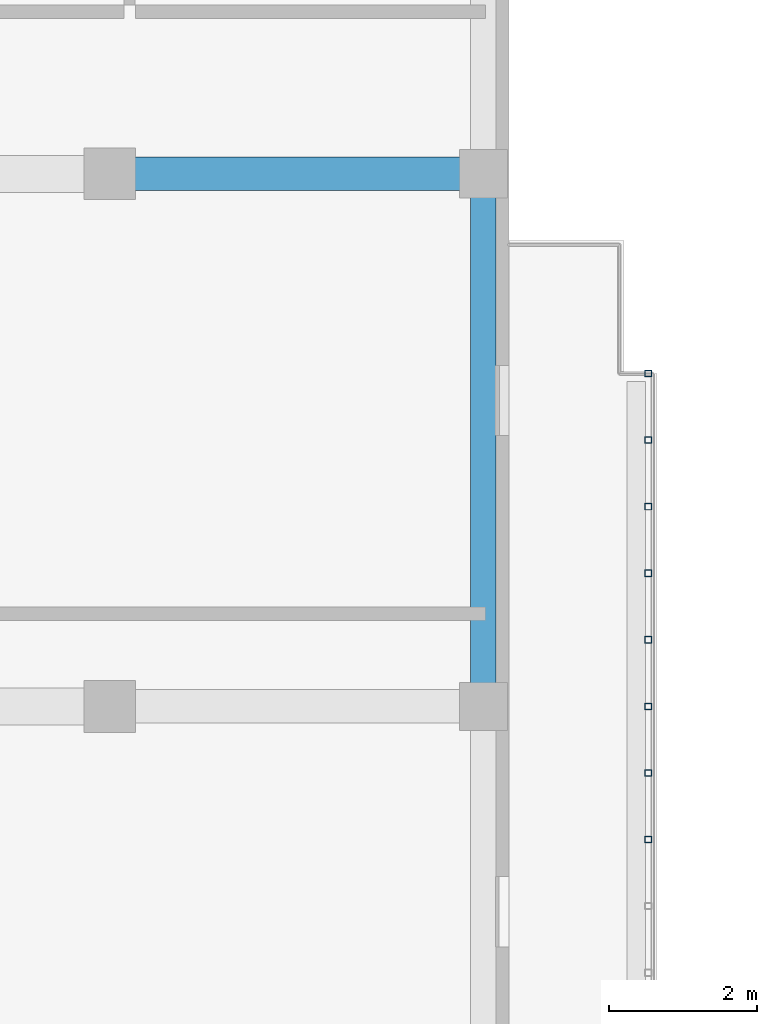
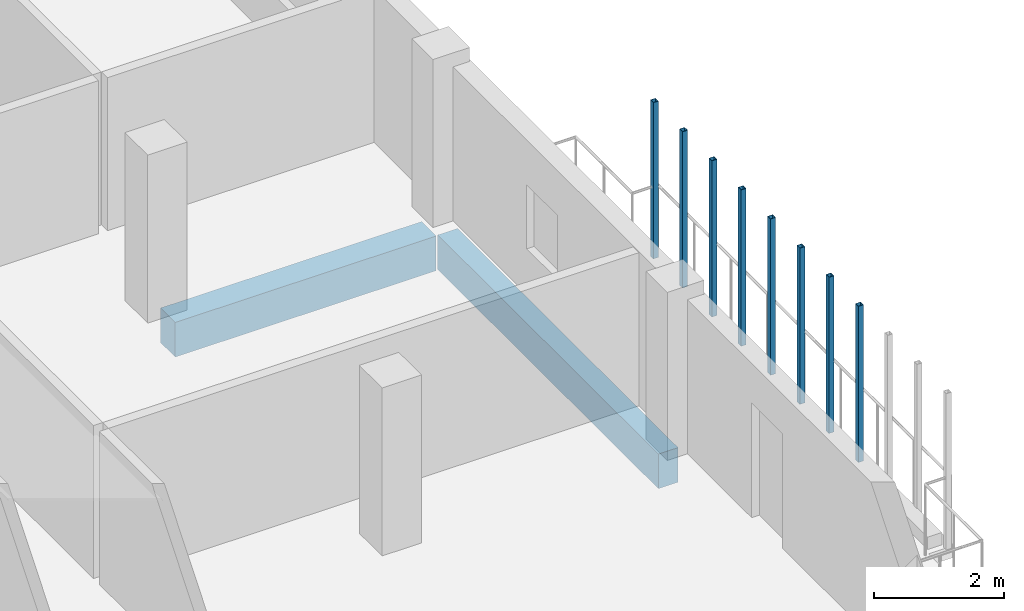
# One storey, part 11 of 51: 8 members, 2 beams.
"""IFC4 building model written with IfcOpenShell, lengths in metres."""

from ifc_helpers import new_model, si_unit, derived_unit, direction, frame, origin, origin_2d, place, context, subcontext, project, spatial, rectangle, hollow_rectangle, extrude, material, material_profile, profile_set, type_object, element, save


model = new_model("IFC4")

# Units and contexts
model_context = context("Model", 3, precision=1e-05, world=origin(), true_north=direction((0.0, 1.0)))
body_context = subcontext(model_context, "Body", "Model", "MODEL_VIEW")
ifc_project = project(units=[si_unit("LENGTHUNIT", "METRE"), si_unit("AREAUNIT", "SQUARE_METRE"), si_unit("VOLUMEUNIT", "CUBIC_METRE"), si_unit("PLANEANGLEUNIT", "RADIAN"), si_unit("MASSUNIT", "GRAM", prefix="KILO"), derived_unit("THERMALTRANSMITTANCEUNIT", [(si_unit("MASSUNIT", "GRAM", prefix="KILO"), 1), (si_unit("TIMEUNIT", "SECOND"), -3), (si_unit("THERMODYNAMICTEMPERATUREUNIT", "KELVIN"), -1)])], contexts=[model_context])

# Site, building, storey
site_placement = place(None, origin())
site = spatial("IfcSite", under=ifc_project, at=site_placement, CompositionType="ELEMENT")
building_placement = place(site_placement, origin())
building = spatial("IfcBuilding", under=site, at=building_placement, Name="Ochrekiln Boulevard Commons", CompositionType="ELEMENT")
storey_placement = place(building_placement, frame((0.0, 0.0, 18.375)))
storey = spatial("IfcBuildingStorey", under=building, at=storey_placement, Name="L05", CompositionType="ELEMENT", Elevation=18.375)

# Beam
ifc_material_1 = material(Name="Concrete C35/45", Category="concrete")
ifc_material_profile_1 = material_profile(ifc_material_1, rectangle(XDim=0.449951171875, YDim=0.64990234375, at=origin_2d()), Name="RC-BM-450x650")
ifc_profile_set_1 = profile_set([ifc_material_profile_1], Name="Concrete C35/45")
beam_type_1 = type_object("IfcBeamType", Name="BM-RC-450x650", PredefinedType="BEAM", material=ifc_profile_set_1)
beam_1_placement = place(storey_placement, frame((16.409912109375, 90.0, -0.5849609375), z_axis=(1.0, 0.0, 0.0), x_axis=(0.0, 1.0, 0.0)))
element("IfcBeam", 1, at=beam_1_placement, inside=storey, type_object=beam_type_1, Name="Block A L05 Beam B-4565 X11", PredefinedType="BEAM", context=body_context, shape_type="SweptSolid", body=[
    extrude(rectangle(XDim=0.449951171875, YDim=0.64990234375, at=origin_2d()), origin(), (0.0, 0.0, 1.0), 4.630126953125),
])

# Members
ifc_material_2 = material(Name="Steel A500 Grade C", Category="steel")
ifc_material_profile_2 = material_profile(ifc_material_2, hollow_rectangle(XDim=0.090087890625, YDim=0.090087890625, WallThickness=0.00634765625, at=origin_2d()), Name="HSS90X90X6.4")
ifc_profile_set_2 = profile_set([ifc_material_profile_2], Name="Steel A500 Grade C")
member_type = type_object("IfcMemberType", Name="MEM-PST-HSS90", PredefinedType="POST", material=ifc_profile_set_2)
for number, where, z_axis, x_axis, name in (
    (2, (23.47998046875, 81.0, 0.0), (0.0, 0.0, 1.0), (1.0, 0.0, 0.0), "Block A L05 Slim Vertical Balcony Post (114)"),
    (3, (23.47998046875, 81.89990234375, 0.0), (0.0, 0.0, 1.0), (1.0, 0.0, 0.0), "Block A L05 Slim Vertical Balcony Post (115)"),
    (4, (23.47998046875, 82.800048828125, 0.0), (0.0, 0.0, 1.0), (1.0, 0.0, 0.0), "Block A L05 Slim Vertical Balcony Post (116)"),
    (5, (23.47998046875, 83.699951171875, 0.0), (0.0, 0.0, 1.0), (1.0, 0.0, 0.0), "Block A L05 Slim Vertical Balcony Post (117)"),
    (6, (23.47998046875, 84.60009765625, 0.0), (0.0, 0.0, 1.0), (1.0, 0.0, 0.0), "Block A L05 Slim Vertical Balcony Post (118)"),
    (7, (23.47998046875, 85.5, 0.0), (0.0, 0.0, 1.0), (1.0, 0.0, 0.0), "Block A L05 Slim Vertical Balcony Post (119)"),
    (8, (23.47998046875, 86.39990234375, 0.0), (0.0, 0.0, 1.0), (1.0, 0.0, 0.0), "Block A L05 Slim Vertical Balcony Post (120)"),
    (9, (23.47998046875, 87.300048828125, 0.0), (0.0, 0.0, 1.0), (1.0, 0.0, 0.0), "Block A L05 Slim Vertical Balcony Post (121)"),
):
    element("IfcMember", number, at=place(storey_placement, frame(where, z_axis=z_axis, x_axis=x_axis)), inside=storey, type_object=member_type, Name=name, PredefinedType="POST", context=body_context, shape_type="SweptSolid", body=[
        extrude(hollow_rectangle(XDim=0.090087890625, YDim=0.090087890625, WallThickness=0.00634765625, at=origin_2d()), origin(), (0.0, 0.0, 1.0), 2.929931640625),
    ])

# Beam
ifc_material_3 = material(Name="Concrete C40/50", Category="concrete")
ifc_material_profile_3 = material_profile(ifc_material_3, rectangle(XDim=0.35009765625, YDim=0.64990234375, at=origin_2d()), Name="RC-SPN-350x650")
ifc_profile_set_3 = profile_set([ifc_material_profile_3], Name="Concrete C40/50")
beam_type_2 = type_object("IfcBeamType", Name="SPN-RC-350x650", PredefinedType="SPANDREL", material=ifc_profile_set_3)
beam_2_placement = place(storey_placement, frame((21.25, 83.010009765625, -0.5849609375), z_axis=(0.0, 1.0, 0.0), x_axis=(-1.0, 0.0, 0.0)))
element("IfcBeam", 10, at=beam_2_placement, inside=storey, type_object=beam_type_2, Name="Block A L05 Beam SP-3565 Y32", PredefinedType="SPANDREL", context=body_context, shape_type="SweptSolid", body=[
    extrude(rectangle(XDim=0.35009765625, YDim=0.64990234375, at=origin_2d()), origin(), (0.0, 0.0, 1.0), 6.780029296875),
])

save(model, "model.ifc")
